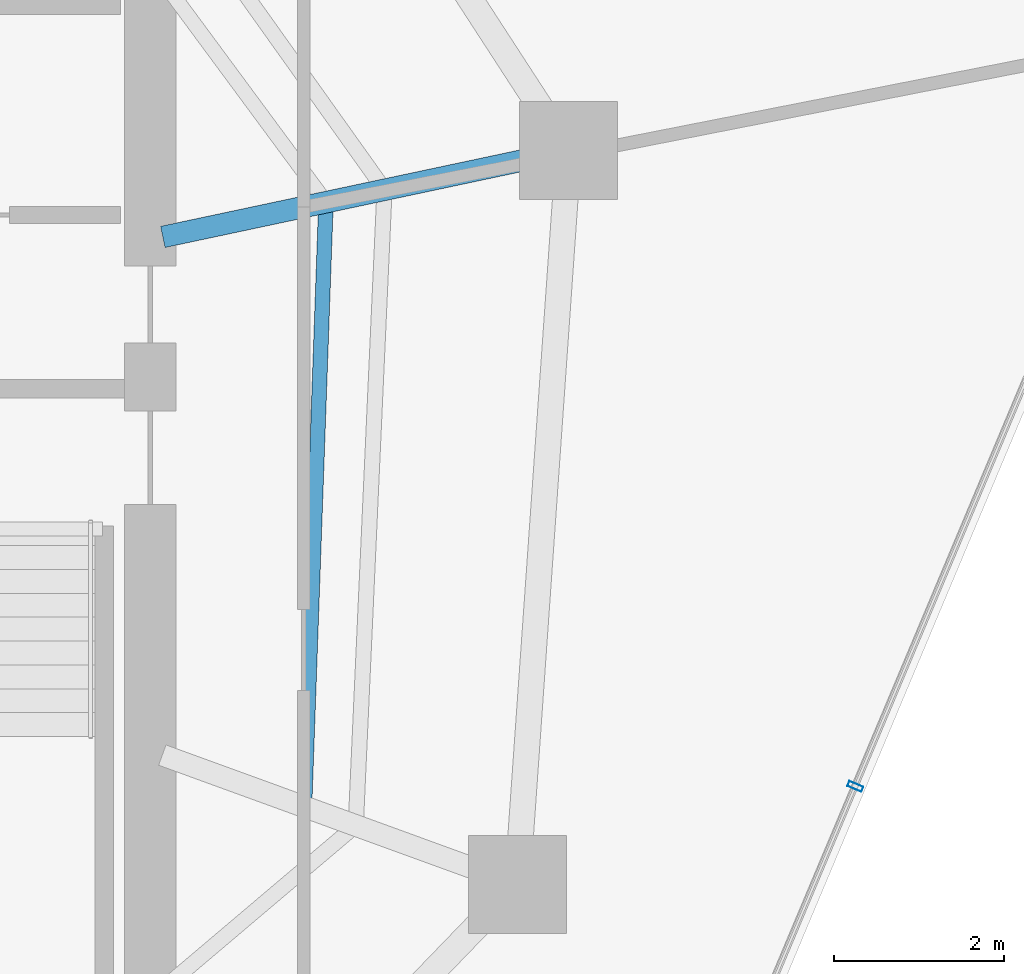
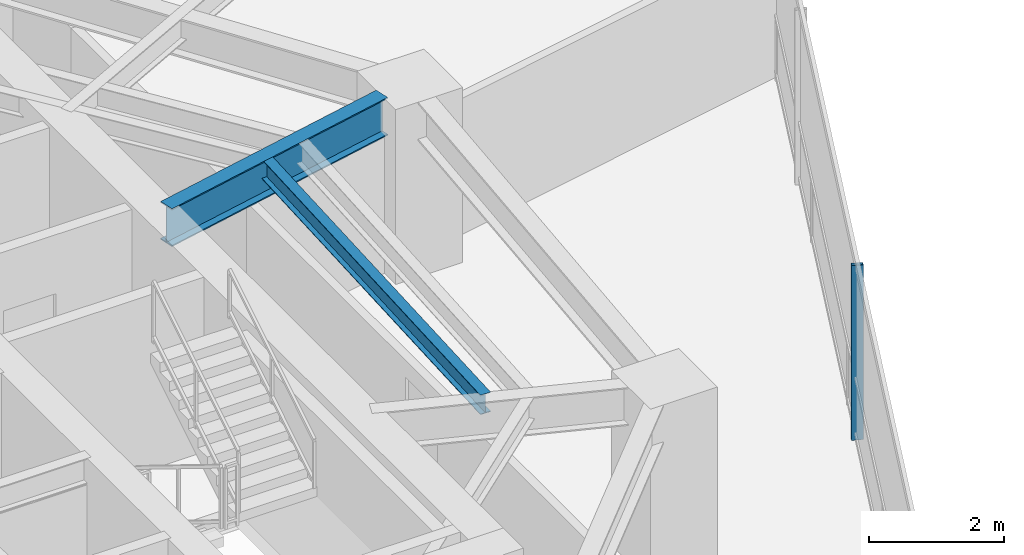
# One storey, part 14 of 30: 2 beams, 1 member, 1 element without a shape of its own.
"""IFC4 building model written with IfcOpenShell, lengths in metres."""

from ifc_helpers import new_model, si_unit, direction, frame, origin, origin_2d, place, context, subcontext, project, spatial, hollow_rectangle, i_section, extrude, material, layer, layer_set, material_profile, profile_set, type_object, element, aggregate, save


model = new_model("IFC4")

# Units and contexts
model_context = context("Model", 3, precision=1e-05, world=origin(), true_north=direction((0.0, 1.0)))
body_context = subcontext(model_context, "Body", "Model", "MODEL_VIEW")
ifc_project = project(units=[si_unit("LENGTHUNIT", "METRE"), si_unit("AREAUNIT", "SQUARE_METRE"), si_unit("VOLUMEUNIT", "CUBIC_METRE"), si_unit("PLANEANGLEUNIT", "RADIAN"), si_unit("MASSUNIT", "GRAM", prefix="KILO")], contexts=[model_context])

# Site, building, storey
site_placement = place(None, origin())
site = spatial("IfcSite", under=ifc_project, at=site_placement, CompositionType="ELEMENT")
building_placement = place(site_placement, origin())
building = spatial("IfcBuilding", under=site, at=building_placement, Name="Qarnah Convention Tower", CompositionType="ELEMENT")
storey_placement = place(building_placement, frame((0.0, 0.0, 93.60009765625)))
storey = spatial("IfcBuildingStorey", under=building, at=storey_placement, Name="L24", CompositionType="ELEMENT", Elevation=93.60009765625)

# Beams
ifc_material_1 = material(Name="Structural steel S355JR", Category="steel")
ifc_material_profile_1 = material_profile(ifc_material_1, i_section(OverallWidth=0.172119140625, OverallDepth=0.35595703125, WebThickness=0.007080078125, FlangeThickness=0.011962890625, at=origin_2d()), Name="W360X51")
ifc_profile_set_1 = profile_set([ifc_material_profile_1], Name="Structural steel S355JR")
beam_type_1 = type_object("IfcBeamType", Name="BM-JST-W360", PredefinedType="JOIST", material=ifc_profile_set_1)
beam_1_placement = place(storey_placement, frame((49.412109375, 22.0458984375, 2.991943359375), z_axis=(0.035540465312, 0.999368238101, 0.0), x_axis=(-0.999368238101, 0.035540465312, 0.0)))
element("IfcBeam", 1, at=beam_1_placement, inside=storey, type_object=beam_type_1, Name="L24 joist BM-L24-IJST-09", PredefinedType="JOIST", context=body_context, shape_type="SweptSolid", body=[
    extrude(i_section(OverallWidth=0.172119140625, OverallDepth=0.35595703125, WebThickness=0.007080078125, FlangeThickness=0.011962890625, at=origin_2d()), origin(), (0.0, 0.0, 1.0), 6.91748046875),
])
ifc_material_profile_2 = material_profile(ifc_material_1, i_section(OverallWidth=0.25390625, OverallDepth=0.68798828125, WebThickness=0.012939453125, FlangeThickness=0.02099609375, at=origin_2d()), Name="W690X152")
ifc_profile_set_2 = profile_set([ifc_material_profile_2], Name="Structural steel S355JR")
beam_type_2 = type_object("IfcBeamType", Name="BM-RAD-W690", PredefinedType="BEAM", material=ifc_profile_set_2)
beam_2_placement = place(storey_placement, frame((47.7470703125, 28.64208984375, 2.825927734375), z_axis=(0.978128480765, 0.20800162287, 0.0), x_axis=(-0.20800162287, 0.978128480765, 0.0)))
element("IfcBeam", 2, at=beam_2_placement, inside=storey, type_object=beam_type_2, Name="L24 beam BM-L24-RAD-01", PredefinedType="BEAM", context=body_context, shape_type="SweptSolid", body=[
    extrude(i_section(OverallWidth=0.25390625, OverallDepth=0.68798828125, WebThickness=0.012939453125, FlangeThickness=0.02099609375, at=origin_2d()), origin(), (0.0, 0.0, 1.0), 4.312255859375),
])

# Curtain wall, member
ifc_material_2 = material(Name="Tempered Low-E dark glass", Category="glass")
ifc_layer = layer(ifc_material_2, 0.169921875)
ifc_layer_set = layer_set([ifc_layer], Name="Tempered Low-E dark glass")
curtain_wall_type = type_object("IfcCurtainWallType", Name="CWS-02", PredefinedType="NOTDEFINED", material=ifc_layer_set)
curtain_wall_placement = place(storey_placement, origin())
curtain_wall = element("IfcCurtainWall", 3, at=curtain_wall_placement, inside=storey, type_object=curtain_wall_type, Name="L24 unitised curtain wall CW-L24-F3", PredefinedType="NOTDEFINED")
ifc_material_3 = material(Name="Black anodised aluminium", Category="aluminium")
ifc_material_profile_3 = material_profile(ifc_material_3, hollow_rectangle(XDim=0.06494140625, YDim=0.179931640625, WallThickness=0.00390625, at=origin_2d()), Name="MUL-65X180")
ifc_profile_set_3 = profile_set([ifc_material_profile_3], Name="Black anodised aluminium")
member_type = type_object("IfcMemberType", Name="MUL-T2", PredefinedType="MULLION", material=ifc_profile_set_3)
member_placement = place(storey_placement, frame((55.87158203125, 22.19482421875, 0.0), z_axis=(0.0, 0.0, 1.0), x_axis=(-0.387506592377, -0.921866932298, 0.0)))
member = element("IfcMember", 4, at=member_placement, type_object=member_type, Name="CW-L24-F3 mullion 3", PredefinedType="MULLION", context=body_context, shape_type="SweptSolid", body=[
    extrude(hollow_rectangle(XDim=0.06494140625, YDim=0.179931640625, WallThickness=0.00390625, at=origin_2d()), origin(), (0.0, 0.0, 1.0), 3.169921875),
])
aggregate(curtain_wall, [member])

save(model, "model.ifc")
